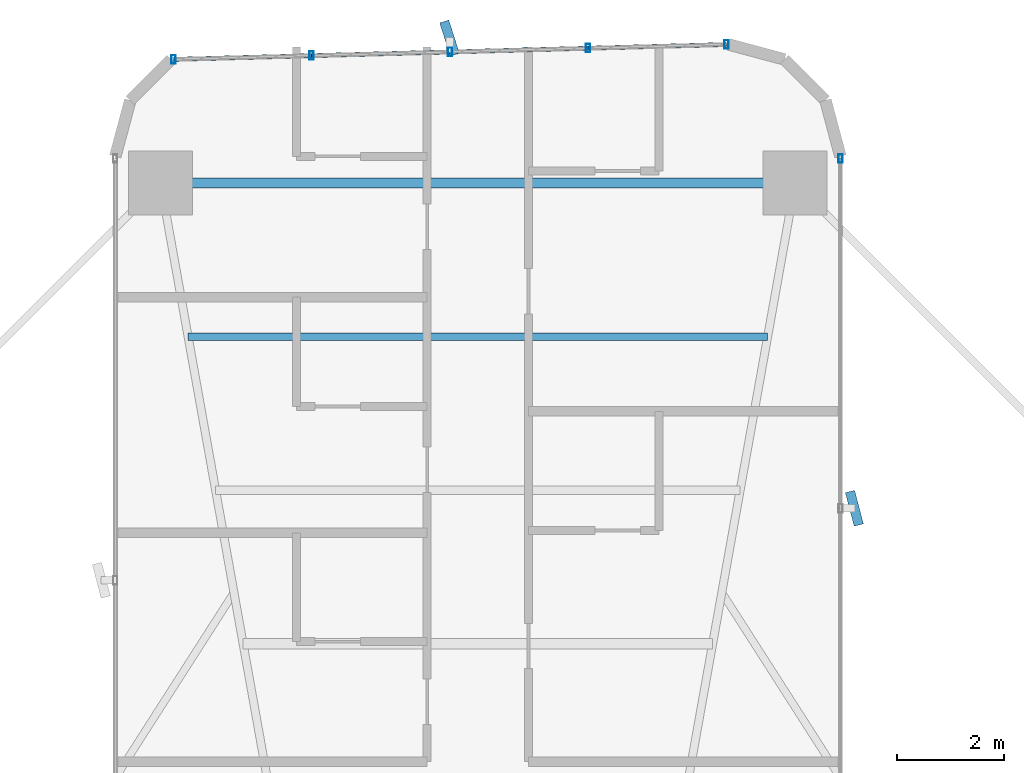
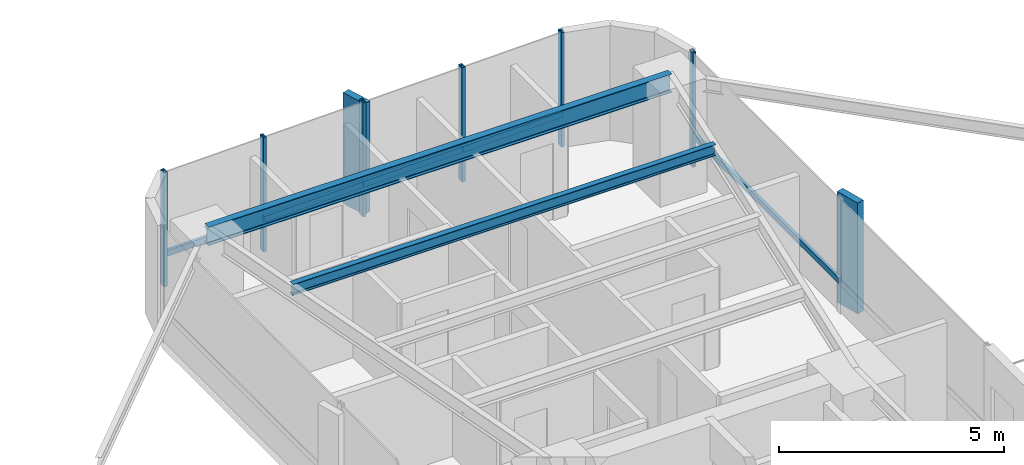
# One storey, part 19 of 26: 13 members, 2 beams, 2 elements without a shape of their own.
"""IFC4 building model written with IfcOpenShell, lengths in metres."""

from ifc_helpers import new_model, si_unit, direction, frame, origin, origin_2d, place, context, subcontext, project, spatial, rectangle, hollow_rectangle, i_section, extrude, source, transform, mapped, material, material_profile, profile_set, type_object, element, aggregate, save


model = new_model("IFC4")

# Units and contexts
model_context = context("Model", 3, precision=1e-05, world=origin(), true_north=direction((0.0, 1.0)))
body_context = subcontext(model_context, "Body", "Model", "MODEL_VIEW")
ifc_project = project(units=[si_unit("LENGTHUNIT", "METRE"), si_unit("AREAUNIT", "SQUARE_METRE"), si_unit("VOLUMEUNIT", "CUBIC_METRE"), si_unit("PLANEANGLEUNIT", "RADIAN"), si_unit("MASSUNIT", "GRAM", prefix="KILO")], contexts=[model_context])

# Site, building, storey
site_placement = place(None, origin())
site = spatial("IfcSite", under=ifc_project, at=site_placement, CompositionType="ELEMENT")
building_placement = place(site_placement, origin())
building = spatial("IfcBuilding", under=site, at=building_placement, Name="Sahyath Konkavel Grand Hotel", CompositionType="ELEMENT")
storey_placement = place(building_placement, frame((0.0, 0.0, 61.10009765625)))
storey = spatial("IfcBuildingStorey", under=building, at=storey_placement, Name="L16", CompositionType="ELEMENT", Elevation=61.10009765625)

# Beams
ifc_material_1 = material(Name="Steel E350", Category="steel")
ifc_material_profile_1 = material_profile(ifc_material_1, i_section(OverallWidth=0.179931640625, OverallDepth=0.5, WebThickness=0.01025390625, FlangeThickness=0.01708984375, FilletRadius=0.01708984375, at=origin_2d()), Name="ISMB 500")
ifc_profile_set_1 = profile_set([ifc_material_profile_1], Name="Steel E350")
beam_type_1 = type_object("IfcBeamType", Name="BM-ISMB500", PredefinedType="BEAM", material=ifc_profile_set_1)
shared_shape_1 = source(origin(), body_context, "Body", "SweptSolid", [
    extrude(i_section(OverallWidth=0.179931640625, OverallDepth=0.5, WebThickness=0.01025390625, FlangeThickness=0.01708984375, FilletRadius=0.01708984375, at=origin_2d()), origin(), (0.0, 0.0, 1.0), 11.89990234375),
])
beam_1_placement = place(storey_placement, frame((5.949951171875, 22.199951171875, 2.85986328125), z_axis=(-1.0, 0.0, 0.0), x_axis=(0.0, -1.0, 0.0)))
element("IfcBeam", 1, at=beam_1_placement, inside=storey, type_object=beam_type_1, Name="L16 Wing Tip Edge Beam N", PredefinedType="BEAM", context=body_context, shape_type="MappedRepresentation", body=[
    mapped(shared_shape_1, transform((0.0, 0.0, 0.0), scale=1.0)),
])
ifc_material_profile_2 = material_profile(ifc_material_1, i_section(OverallWidth=0.139892578125, OverallDepth=0.300048828125, WebThickness=0.0078125, FlangeThickness=0.01318359375, FilletRadius=0.013916015625, at=origin_2d()), Name="ISMB 300")
ifc_profile_set_2 = profile_set([ifc_material_profile_2], Name="Steel E350")
beam_type_2 = type_object("IfcBeamType", Name="BM-ISMB300", PredefinedType="BEAM", material=ifc_profile_set_2)
shared_shape_2 = source(origin(), body_context, "Body", "SweptSolid", [
    extrude(i_section(OverallWidth=0.139892578125, OverallDepth=0.300048828125, WebThickness=0.0078125, FlangeThickness=0.01318359375, FilletRadius=0.013916015625, at=origin_2d()), origin(), (0.0, 0.0, 1.0), 10.8681640625),
])
beam_2_placement = place(storey_placement, frame((5.43408203125, 19.320068359375, 2.9599609375), z_axis=(-1.0, 0.0, 0.0), x_axis=(0.0, -1.0, 0.0)))
element("IfcBeam", 2, at=beam_2_placement, inside=storey, type_object=beam_type_2, Name="L16 Secondary Floor Beam N-3", PredefinedType="BEAM", context=body_context, shape_type="MappedRepresentation", body=[
    mapped(shared_shape_2, transform((0.0, 0.0, 0.0), scale=1.0)),
])

# Curtain wall, member
ifc_material_2 = material(Name="Anodised Bronze Aluminium & Low-E Glazing", Category="aluminium")
curtain_wall_type = type_object("IfcCurtainWallType", Name="CW-ZONE1", PredefinedType="NOTDEFINED", material=ifc_material_2)
curtain_wall_1_placement = place(storey_placement, origin())
curtain_wall_1 = element("IfcCurtainWall", 3, at=curtain_wall_1_placement, inside=storey, type_object=curtain_wall_type, Name="L16 Unitised Curtain Wall F8", PredefinedType="NOTDEFINED")
ifc_material_3 = material(Name="Anodised Bronze Aluminium", Category="aluminium")
ifc_material_profile_3 = material_profile(ifc_material_3, hollow_rectangle(XDim=0.080078125, YDim=0.159912109375, WallThickness=0.006103515625, at=origin_2d()), Name="RHS 160x80x6")
ifc_profile_set_3 = profile_set([ifc_material_profile_3], Name="Anodised Bronze Aluminium")
member_type_1 = type_object("IfcMemberType", Name="CW-MUL-160", PredefinedType="MULLION", material=ifc_profile_set_3)
shared_shape_3 = source(origin(), body_context, "Body", "SweptSolid", [
    extrude(hollow_rectangle(XDim=0.080078125, YDim=0.159912109375, WallThickness=0.006103515625, at=origin_2d()), origin(), (0.0, 0.0, 1.0), 3.10986328125),
])
member_1_placement = place(storey_placement, frame((6.800048828125, 22.659912109375, 0.0), z_axis=(0.0, 0.0, 1.0), x_axis=(1.0, 0.0, 0.0)))
member_1 = element("IfcMember", 4, at=member_1_placement, type_object=member_type_1, Name="L16 Curtain Wall Mullion F8-2", PredefinedType="MULLION", context=body_context, shape_type="MappedRepresentation", body=[
    mapped(shared_shape_3, transform((0.0, 0.0, 0.0), scale=1.0)),
])

# Curtain wall, members
curtain_wall_2_placement = place(storey_placement, origin())
curtain_wall_2 = element("IfcCurtainWall", 5, at=curtain_wall_2_placement, inside=storey, type_object=curtain_wall_type, Name="L16 Unitised Curtain Wall F12", PredefinedType="NOTDEFINED")
member_2_placement = place(storey_placement, frame((4.659912109375, 24.798828125, 0.0), z_axis=(0.0, 0.0, 1.0), x_axis=(1.0, 0.0, 0.0)))
member_2 = element("IfcMember", 6, at=member_2_placement, type_object=member_type_1, Name="L16 Curtain Wall Mullion F12-0", PredefinedType="MULLION", context=body_context, shape_type="MappedRepresentation", body=[
    mapped(shared_shape_3, transform((0.0, 0.0, 0.0), scale=1.0)),
])
member_3_placement = place(storey_placement, frame((2.0673828125, 24.72900390625, 0.0), z_axis=(0.0, 0.0, 1.0), x_axis=(1.0, 0.0, 0.0)))
member_3 = element("IfcMember", 7, at=member_3_placement, type_object=member_type_1, Name="L16 Curtain Wall Mullion F12-1", PredefinedType="MULLION", context=body_context, shape_type="MappedRepresentation", body=[
    mapped(shared_shape_3, transform((0.0, 0.0, 0.0), scale=1.0)),
])
member_4_placement = place(storey_placement, frame((-0.52490234375, 24.6591796875, 0.0), z_axis=(0.0, 0.0, 1.0), x_axis=(1.0, 0.0, 0.0)))
member_4 = element("IfcMember", 8, at=member_4_placement, type_object=member_type_1, Name="L16 Curtain Wall Mullion F12-2", PredefinedType="MULLION", context=body_context, shape_type="MappedRepresentation", body=[
    mapped(shared_shape_3, transform((0.0, 0.0, 0.0), scale=1.0)),
])
member_5_placement = place(storey_placement, frame((-3.117431640625, 24.589599609375, 0.0), z_axis=(0.0, 0.0, 1.0), x_axis=(1.0, 0.0, 0.0)))
member_5 = element("IfcMember", 9, at=member_5_placement, type_object=member_type_1, Name="L16 Curtain Wall Mullion F12-3", PredefinedType="MULLION", context=body_context, shape_type="MappedRepresentation", body=[
    mapped(shared_shape_3, transform((0.0, 0.0, 0.0), scale=1.0)),
])
member_6_placement = place(storey_placement, frame((-5.7099609375, 24.519775390625, 0.0), z_axis=(0.0, 0.0, 1.0), x_axis=(1.0, 0.0, 0.0)))
member_6 = element("IfcMember", 10, at=member_6_placement, type_object=member_type_1, Name="L16 Curtain Wall Mullion F12-4", PredefinedType="MULLION", context=body_context, shape_type="MappedRepresentation", body=[
    mapped(shared_shape_3, transform((0.0, 0.0, 0.0), scale=1.0)),
])

# Member
ifc_material_4 = material(Name="Warm Buff Sandstone Cladding on Concrete C50/60", Category="masonry")
ifc_material_profile_4 = material_profile(ifc_material_4, rectangle(XDim=0.179931640625, YDim=0.64990234375, at=origin_2d()), Name="FIN 180x650")
ifc_profile_set_4 = profile_set([ifc_material_profile_4], Name="Warm Buff Sandstone Cladding on Concrete C50/60")
member_type_2 = type_object("IfcMemberType", Name="FIN-SANDSTONE-650", PredefinedType="MULLION", material=ifc_profile_set_4)
shared_shape_4 = source(origin(), body_context, "Body", "SweptSolid", [
    extrude(rectangle(XDim=0.179931640625, YDim=0.64990234375, at=origin_2d()), origin(), (0.0, 0.0, 1.0), 3.010009765625),
])
member_7_placement = place(storey_placement, frame((7.06005859375, 16.10009765625, 0.0498046875), z_axis=(0.0, 0.0, 1.0), x_axis=(0.967134752842, 0.254264369988, 0.0)))
member_7 = element("IfcMember", 11, at=member_7_placement, type_object=member_type_2, Name="L16 Sandstone Vertical Solar Fin FIN F8-1", PredefinedType="MULLION", context=body_context, shape_type="MappedRepresentation", body=[
    mapped(shared_shape_4, transform((0.0, 0.0, 0.0), scale=1.0)),
])

member_8_placement = place(storey_placement, frame((-0.531982421875, 24.919189453125, 0.0498046875), z_axis=(0.0, 0.0, 1.0), x_axis=(0.952502159334, 0.304531831612, 0.0)))
member_8 = element("IfcMember", 12, at=member_8_placement, type_object=member_type_2, Name="L16 Sandstone Vertical Solar Fin FIN F12-2", PredefinedType="MULLION", context=body_context, shape_type="MappedRepresentation", body=[
    mapped(shared_shape_4, transform((0.0, 0.0, 0.0), scale=1.0)),
])

ifc_material_profile_5 = material_profile(ifc_material_3, hollow_rectangle(XDim=0.080078125, YDim=0.159912109375, WallThickness=0.006103515625, at=origin_2d()), Name="RHS 160x80x6")
ifc_profile_set_5 = profile_set([ifc_material_profile_5], Name="Anodised Bronze Aluminium")
member_type_3 = type_object("IfcMemberType", Name="CW-TRN-160", PredefinedType="USERDEFINED", material=ifc_profile_set_5)
shared_shape_5 = source(origin(), body_context, "Body", "SweptSolid", [
    extrude(hollow_rectangle(XDim=0.080078125, YDim=0.159912109375, WallThickness=0.006103515625, at=origin_2d()), origin(), (0.0, 0.0, 1.0), 2.593505859375),
])
member_9_placement = place(storey_placement, frame((4.659912109375, 24.798828125, 0.849853515625), z_axis=(-0.999637507825, -0.026923093252, 0.0), x_axis=(0.026923093252, -0.999637507825, 0.0)))
member_9 = element("IfcMember", 13, at=member_9_placement, type_object=member_type_3, Name="L16 Curtain Wall Transom F12-0-spandrel", ObjectType="TRANSOM", PredefinedType="USERDEFINED", context=body_context, shape_type="MappedRepresentation", body=[
    mapped(shared_shape_5, transform((0.0, 0.0, 0.0), scale=1.0)),
])

member_10_placement = place(storey_placement, frame((-0.52490234375, 24.6591796875, 0.849853515625), z_axis=(-0.999640036937, -0.02682902444, 0.0), x_axis=(0.02682902444, -0.999640036937, 0.0)))
member_10 = element("IfcMember", 14, at=member_10_placement, type_object=member_type_3, Name="L16 Curtain Wall Transom F12-2-spandrel", ObjectType="TRANSOM", PredefinedType="USERDEFINED", context=body_context, shape_type="MappedRepresentation", body=[
    mapped(shared_shape_5, transform((0.0, 0.0, 0.0), scale=1.0)),
])

member_11_placement = place(storey_placement, frame((-3.117431640625, 24.589599609375, 0.849853515625), z_axis=(-0.999637507825, -0.026923093252, 0.0), x_axis=(0.026923093252, -0.999637507825, 0.0)))
member_11 = element("IfcMember", 15, at=member_11_placement, type_object=member_type_3, Name="L16 Curtain Wall Transom F12-3-spandrel", ObjectType="TRANSOM", PredefinedType="USERDEFINED", context=body_context, shape_type="MappedRepresentation", body=[
    mapped(shared_shape_5, transform((0.0, 0.0, 0.0), scale=1.0)),
])

shared_shape_6 = source(origin(), body_context, "Body", "SweptSolid", [
    extrude(hollow_rectangle(XDim=0.080078125, YDim=0.159912109375, WallThickness=0.006103515625, at=origin_2d()), origin(), (0.0, 0.0, 1.0), 2.59326171875),
])
member_12_placement = place(storey_placement, frame((2.0673828125, 24.72900390625, 0.849853515625), z_axis=(-0.99963743958, -0.026925627022, 0.0), x_axis=(0.026925627022, -0.99963743958, 0.0)))
member_12 = element("IfcMember", 16, at=member_12_placement, type_object=member_type_3, Name="L16 Curtain Wall Transom F12-1-spandrel", ObjectType="TRANSOM", PredefinedType="USERDEFINED", context=body_context, shape_type="MappedRepresentation", body=[
    mapped(shared_shape_6, transform((0.0, 0.0, 0.0), scale=1.0)),
])

aggregate(curtain_wall_2, [member_2, member_3, member_4, member_8, member_5, member_6, member_9, member_12, member_10, member_11])

shared_shape_7 = source(origin(), body_context, "Body", "SweptSolid", [
    extrude(hollow_rectangle(XDim=0.080078125, YDim=0.159912109375, WallThickness=0.006103515625, at=origin_2d()), origin(), (0.0, 0.0, 1.0), 6.559814453125),
])
member_13_placement = place(storey_placement, frame((6.800048828125, 16.10009765625, 0.849853515625), z_axis=(0.0, 1.0, 0.0), x_axis=(-1.0, 0.0, 0.0)))
member_13 = element("IfcMember", 17, at=member_13_placement, type_object=member_type_3, Name="L16 Curtain Wall Transom F8-1-spandrel", ObjectType="TRANSOM", PredefinedType="USERDEFINED", context=body_context, shape_type="MappedRepresentation", body=[
    mapped(shared_shape_7, transform((0.0, 0.0, 0.0), scale=1.0)),
])

aggregate(curtain_wall_1, [member_7, member_1, member_13])

save(model, "model.ifc")
